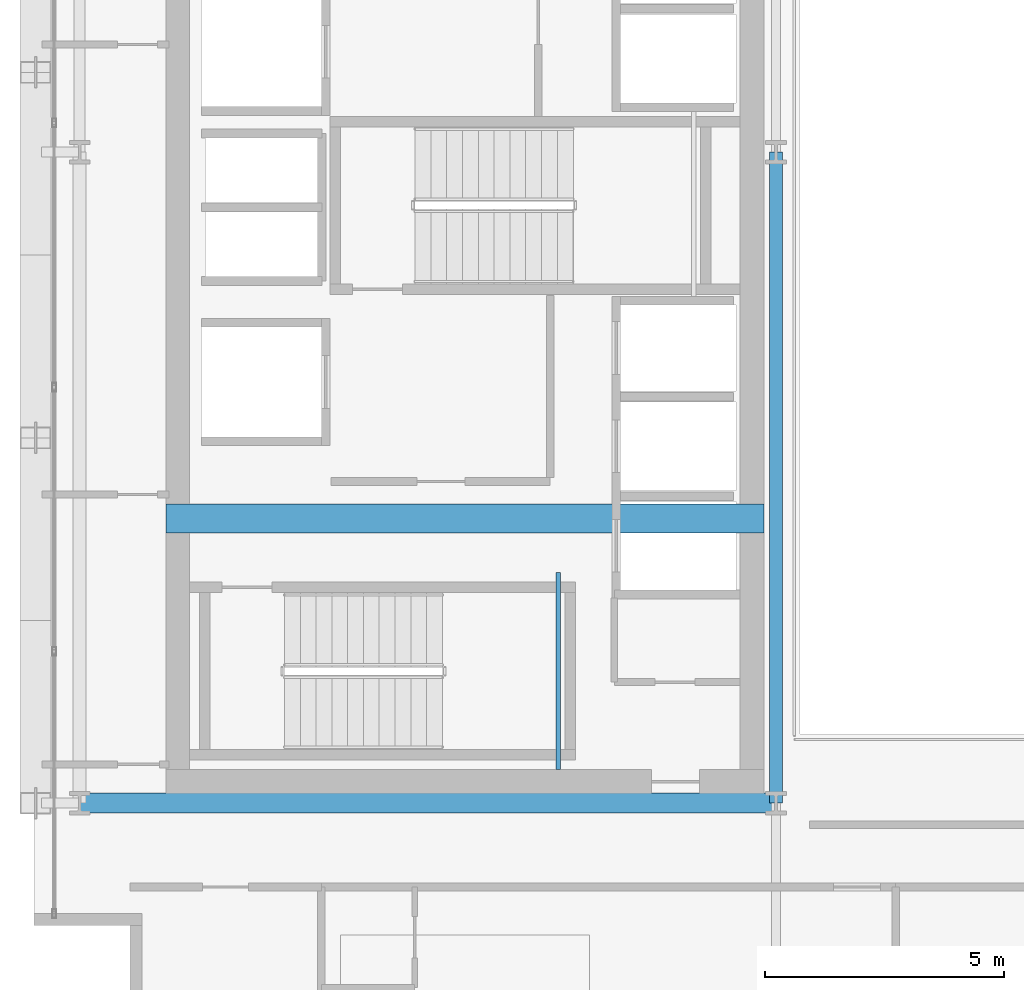
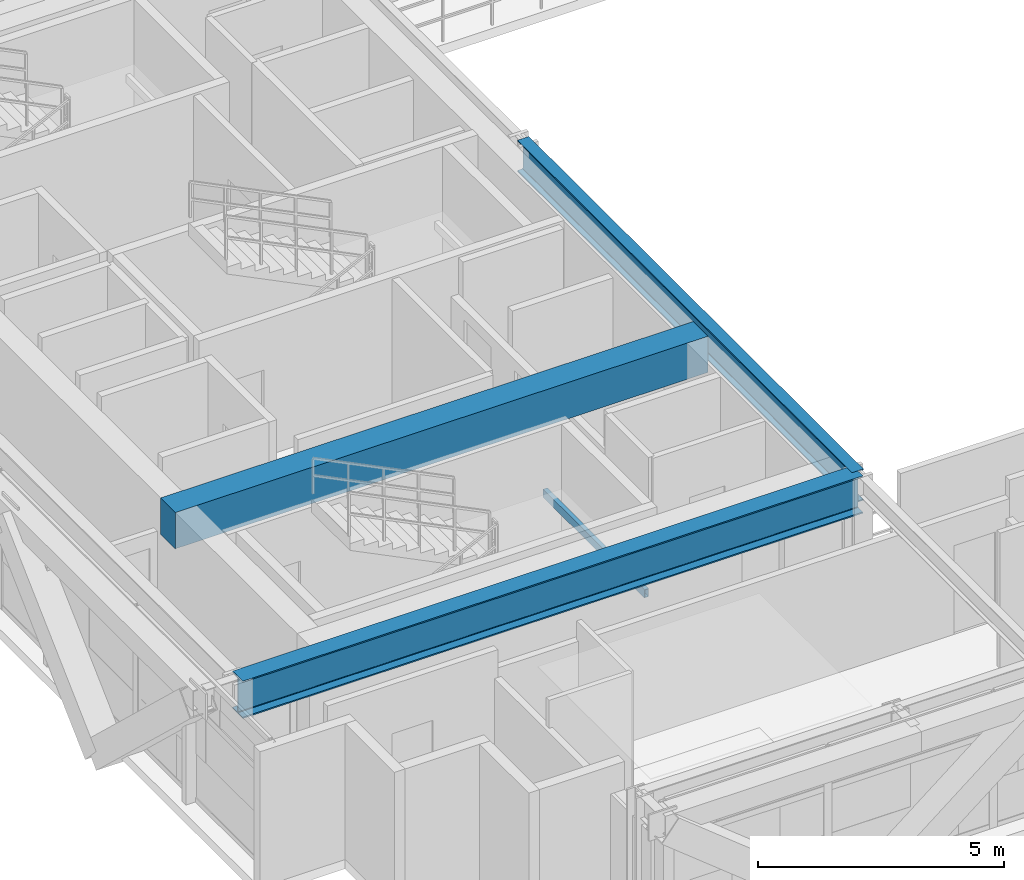
# One storey, part 5 of 31: 4 beams.
"""IFC4 building model written with IfcOpenShell, lengths in metres."""

from ifc_helpers import new_model, si_unit, direction, frame, origin, origin_2d, place, context, subcontext, project, spatial, rectangle, hollow_rectangle, i_section, extrude, source, transform, mapped, material, material_profile, profile_set, type_object, element, save


model = new_model("IFC4")

# Units and contexts
model_context = context("Model", 3, precision=1e-05, world=origin(), true_north=direction((0.0, 1.0)))
body_context = subcontext(model_context, "Body", "Model", "MODEL_VIEW")
ifc_project = project(units=[si_unit("LENGTHUNIT", "METRE"), si_unit("AREAUNIT", "SQUARE_METRE"), si_unit("VOLUMEUNIT", "CUBIC_METRE"), si_unit("PLANEANGLEUNIT", "RADIAN"), si_unit("MASSUNIT", "GRAM", prefix="KILO")], contexts=[model_context])

# Site, building, storey
site_placement = place(None, origin())
site = spatial("IfcSite", under=ifc_project, at=site_placement, CompositionType="ELEMENT")
building_placement = place(site_placement, origin())
building = spatial("IfcBuilding", under=site, at=building_placement, Name="Ocotamira Hotel", CompositionType="ELEMENT")
storey_placement = place(building_placement, frame((0.0, 0.0, 199.199951171875)))
storey = spatial("IfcBuildingStorey", under=building, at=storey_placement, Name="L50", CompositionType="ELEMENT", Elevation=199.199951171875)

# Beams
ifc_material_1 = material(Name="Concrete C50/60", Category="concrete")
ifc_material_profile_1 = material_profile(ifc_material_1, rectangle(XDim=0.60009765625, YDim=0.89990234375, at=origin_2d()), Name="RC600X900")
ifc_profile_set_1 = profile_set([ifc_material_profile_1], Name="Concrete C50/60")
beam_type_1 = type_object("IfcBeamType", Name="BM-LINK-RC600", PredefinedType="LINTEL", material=ifc_profile_set_1)
shared_shape_1 = source(origin(), body_context, "Body", "SweptSolid", [
    extrude(rectangle(XDim=0.60009765625, YDim=0.89990234375, at=origin_2d()), origin(), (0.0, 0.0, 1.0), 12.5),
])
beam_1_placement = place(storey_placement, frame((10.75, 20.5, 2.920166015625), z_axis=(1.0, 0.0, 0.0), x_axis=(0.0, 1.0, 0.0)))
element("IfcBeam", 1, at=beam_1_placement, inside=storey, type_object=beam_type_1, Name="L50 West Core Coupling Beam", PredefinedType="LINTEL", context=body_context, shape_type="MappedRepresentation", body=[
    mapped(shared_shape_1, transform((0.0, 0.0, 0.0), scale=1.0)),
])
ifc_material_2 = material(Name="Steel ASTM A500 Grade C", Category="steel")
ifc_material_profile_2 = material_profile(ifc_material_2, hollow_rectangle(XDim=0.10009765625, YDim=0.199951171875, WallThickness=0.008056640625, at=origin_2d()), Name="HSS200X100X8")
ifc_profile_set_2 = profile_set([ifc_material_profile_2], Name="Steel ASTM A500 Grade C")
beam_type_2 = type_object("IfcBeamType", Name="BM-STLDG-HSS200", PredefinedType="BEAM", material=ifc_profile_set_2)
shared_shape_2 = source(origin(), body_context, "Body", "SweptSolid", [
    extrude(hollow_rectangle(XDim=0.10009765625, YDim=0.199951171875, WallThickness=0.008056640625, at=origin_2d()), origin(), (0.0, 0.0, 1.0), 4.1201171875),
])
beam_2_placement = place(storey_placement, frame((18.949951171875, 15.25, 1.5), z_axis=(0.0, 1.0, 0.0), x_axis=(-1.0, 0.0, 0.0)))
element("IfcBeam", 2, at=beam_2_placement, inside=storey, type_object=beam_type_2, Name="L50 Stair ST-1 Landing Bearer 1", PredefinedType="BEAM", context=body_context, shape_type="MappedRepresentation", body=[
    mapped(shared_shape_2, transform((0.0, 0.0, 0.0), scale=1.0)),
])
ifc_material_3 = material(Name="Steel ASTM A992 Grade 50", Category="steel")
ifc_material_profile_3 = material_profile(ifc_material_3, i_section(OverallWidth=0.41796875, OverallDepth=0.927001953125, WebThickness=0.019287109375, FlangeThickness=0.031982421875, FilletRadius=0.02392578125, at=origin_2d()), Name="W36X231")
ifc_profile_set_3 = profile_set([ifc_material_profile_3], Name="Steel ASTM A992 Grade 50")
beam_type_3 = type_object("IfcBeamType", Name="BM-GIRD-W36X231", PredefinedType="BEAM", material=ifc_profile_set_3)
shared_shape_3 = source(origin(), body_context, "Body", "SweptSolid", [
    extrude(i_section(OverallWidth=0.41796875, OverallDepth=0.927001953125, WebThickness=0.019287109375, FlangeThickness=0.031982421875, FilletRadius=0.02392578125, at=origin_2d()), origin(), (0.0, 0.0, 1.0), 14.550048828125),
])
beam_3_placement = place(storey_placement, frame((8.949951171875, 14.550048828125, 2.906494140625), z_axis=(1.0, 0.0, 0.0), x_axis=(0.0, 1.0, 0.0)))
element("IfcBeam", 3, at=beam_3_placement, inside=storey, type_object=beam_type_3, Name="L50 Girder Y14.55 X8.95-23.5", PredefinedType="BEAM", context=body_context, shape_type="MappedRepresentation", body=[
    mapped(shared_shape_3, transform((0.0, 0.0, 0.0), scale=1.0)),
])
ifc_material_profile_4 = material_profile(ifc_material_3, i_section(OverallWidth=0.26611328125, OverallDepth=0.779052734375, WebThickness=0.0166015625, FlangeThickness=0.030029296875, FilletRadius=0.01806640625, at=origin_2d()), Name="W30X148")
ifc_profile_set_4 = profile_set([ifc_material_profile_4], Name="Steel ASTM A992 Grade 50")
beam_type_4 = type_object("IfcBeamType", Name="BM-GIRD-W30X148", PredefinedType="BEAM", material=ifc_profile_set_4)
shared_shape_4 = source(origin(), body_context, "Body", "SweptSolid", [
    extrude(i_section(OverallWidth=0.26611328125, OverallDepth=0.779052734375, WebThickness=0.0166015625, FlangeThickness=0.030029296875, FilletRadius=0.01806640625, at=origin_2d()), origin(), (0.0, 0.0, 1.0), 13.599853515625),
])
beam_4_placement = place(storey_placement, frame((23.5, 14.550048828125, 2.98046875), z_axis=(0.0, 1.0, 0.0), x_axis=(-1.0, 0.0, 0.0)))
element("IfcBeam", 4, at=beam_4_placement, inside=storey, type_object=beam_type_4, Name="L50 Beam X23.5 Y14.55-28.15", PredefinedType="BEAM", context=body_context, shape_type="MappedRepresentation", body=[
    mapped(shared_shape_4, transform((0.0, 0.0, 0.0), scale=1.0)),
])

save(model, "model.ifc")
